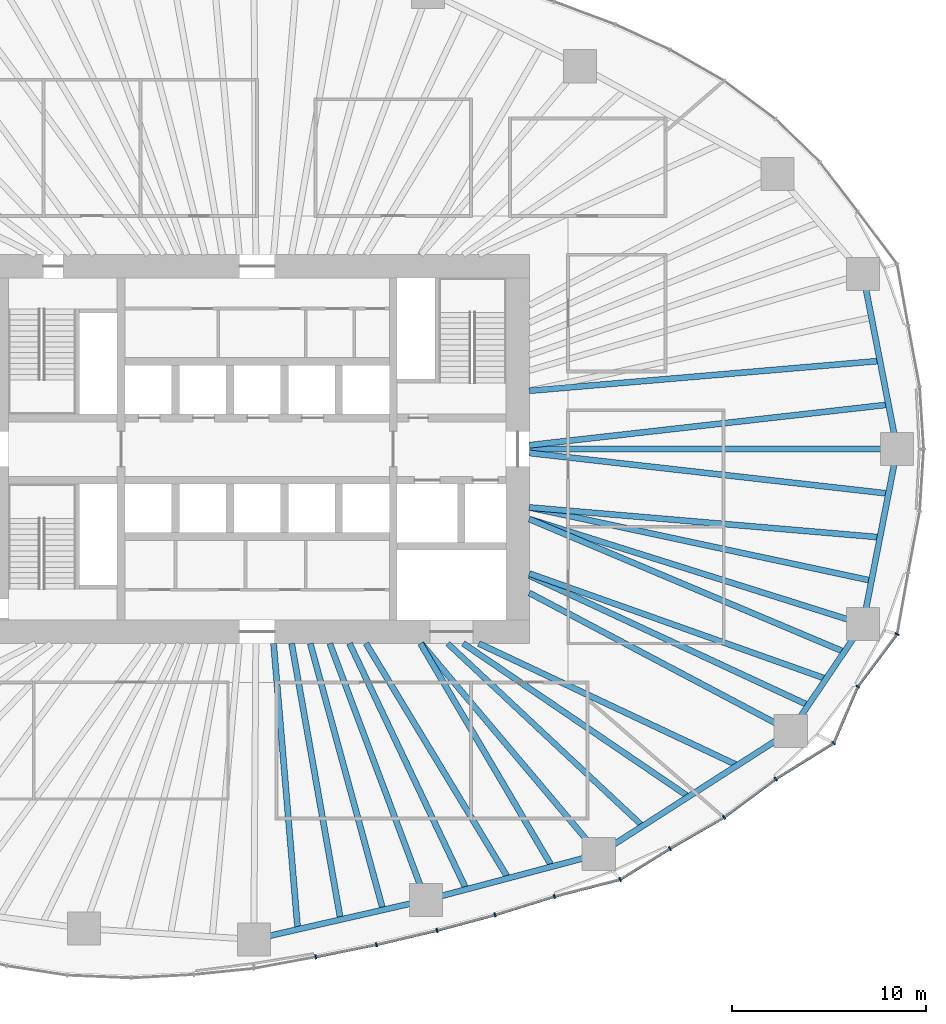
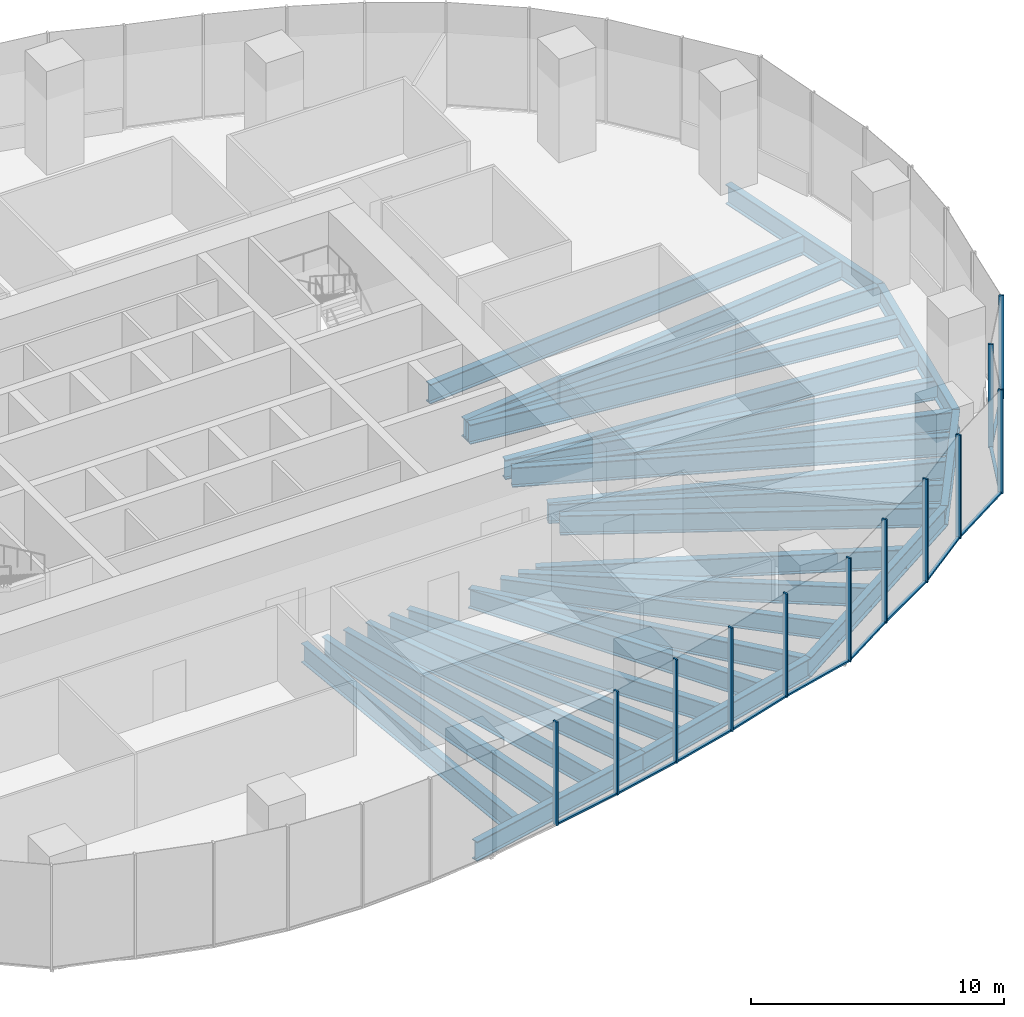
# One storey, part 4 of 20: 28 beams, 23 members, 5 elements without a shape of their own.
"""IFC4 building model written with IfcOpenShell, lengths in metres."""

from ifc_helpers import new_model, si_unit, direction, frame, origin, origin_2d, place, context, subcontext, project, spatial, rectangle, i_section, extrude, material, material_profile, profile_set, type_object, element, aggregate, save


model = new_model("IFC4")

# Units and contexts
model_context = context("Model", 3, precision=1e-05, world=origin(), true_north=direction((0.0, 1.0)))
body_context = subcontext(model_context, "Body", "Model", "MODEL_VIEW")
ifc_project = project(units=[si_unit("LENGTHUNIT", "METRE"), si_unit("AREAUNIT", "SQUARE_METRE"), si_unit("VOLUMEUNIT", "CUBIC_METRE"), si_unit("PLANEANGLEUNIT", "RADIAN"), si_unit("MASSUNIT", "GRAM", prefix="KILO")], contexts=[model_context])

# Site, building, storey
site_placement = place(None, origin())
site = spatial("IfcSite", under=ifc_project, at=site_placement, CompositionType="ELEMENT")
building_placement = place(site_placement, origin())
building = spatial("IfcBuilding", under=site, at=building_placement, Name="Ghaith Harvest Tower", CompositionType="ELEMENT")
storey_placement = place(building_placement, frame((0.0, 0.0, 85.0)))
storey = spatial("IfcBuildingStorey", under=building, at=storey_placement, Name="L17", CompositionType="ELEMENT", Elevation=85.0)

# Curtain wall, members
ifc_material_1 = material(Name="Black anodised aluminium and fritted glass", Category="aluminium")
curtain_wall_type = type_object("IfcCurtainWallType", Name="CW-F CURTAIN WALL", PredefinedType="NOTDEFINED", material=ifc_material_1)
curtain_wall_1_placement = place(storey_placement, origin())
curtain_wall_1 = element("IfcCurtainWall", 1, at=curtain_wall_1_placement, inside=storey, type_object=curtain_wall_type, Name="Curtain wall CW-F bay 16 L17", PredefinedType="NOTDEFINED")
ifc_material_2 = material(Name="Aluminium, black anodised", Category="aluminium")
ifc_material_profile_1 = material_profile(ifc_material_2, rectangle(XDim=0.080078125, YDim=0.219970703125, at=origin_2d()), Name="CW-F MULLION 80x220")
ifc_profile_set_1 = profile_set([ifc_material_profile_1], Name="Aluminium, black anodised")
member_type_1 = type_object("IfcMemberType", Name="CW-F MULLION 80x220", PredefinedType="MULLION", material=ifc_profile_set_1)
member_1_placement = place(storey_placement, frame((3.00927734375, -26.123291015625, 0.0), z_axis=(0.0, 0.0, 1.0), x_axis=(0.981818445714, 0.189822389762, 0.0)))
member_1 = element("IfcMember", 2, at=member_1_placement, type_object=member_type_1, Name="CW-F mullion 2 bay 16 L17", PredefinedType="MULLION", context=body_context, shape_type="SweptSolid", body=[
    extrude(rectangle(XDim=0.080078125, YDim=0.219970703125, at=origin_2d()), origin(), (0.0, 0.0, 1.0), 5.0),
])
member_2_placement = place(storey_placement, frame((6.136962890625, -25.495361328125, 0.0), z_axis=(0.0, 0.0, 1.0), x_axis=(0.977117973572, 0.212698062336, 0.0)))
member_2 = element("IfcMember", 3, at=member_2_placement, type_object=member_type_1, Name="CW-F mullion 3 bay 16 L17", PredefinedType="MULLION", context=body_context, shape_type="SweptSolid", body=[
    extrude(rectangle(XDim=0.080078125, YDim=0.219970703125, at=origin_2d()), origin(), (0.0, 0.0, 1.0), 5.0),
])

curtain_wall_2_placement = place(storey_placement, origin())
curtain_wall_2 = element("IfcCurtainWall", 4, at=curtain_wall_2_placement, inside=storey, type_object=curtain_wall_type, Name="Curtain wall CW-F bay 17 L17", PredefinedType="NOTDEFINED")
member_3_placement = place(storey_placement, frame((9.25732421875, -24.76318359375, 0.0), z_axis=(0.0, 0.0, 1.0), x_axis=(0.969903429248, 0.24348991341, 0.0)))
member_3 = element("IfcMember", 5, at=member_3_placement, type_object=member_type_1, Name="CW-F mullion 1 bay 17 L17", PredefinedType="MULLION", context=body_context, shape_type="SweptSolid", body=[
    extrude(rectangle(XDim=0.080078125, YDim=0.219970703125, at=origin_2d()), origin(), (0.0, 0.0, 1.0), 5.0),
])
member_4_placement = place(storey_placement, frame((12.234375, -23.964599609375, 0.0), z_axis=(0.0, 0.0, 1.0), x_axis=(0.960502189734, 0.278272426799, 0.0)))
member_4 = element("IfcMember", 6, at=member_4_placement, type_object=member_type_1, Name="CW-F mullion 2 bay 17 L17", PredefinedType="MULLION", context=body_context, shape_type="SweptSolid", body=[
    extrude(rectangle(XDim=0.080078125, YDim=0.219970703125, at=origin_2d()), origin(), (0.0, 0.0, 1.0), 5.0),
])
member_5_placement = place(storey_placement, frame((15.28759765625, -23.01611328125, 0.0), z_axis=(0.0, 0.0, 1.0), x_axis=(0.962313144018, 0.27194376781, 0.0)))
member_5 = element("IfcMember", 7, at=member_5_placement, type_object=member_type_1, Name="CW-F mullion 3 bay 17 L17", PredefinedType="MULLION", context=body_context, shape_type="SweptSolid", body=[
    extrude(rectangle(XDim=0.080078125, YDim=0.219970703125, at=origin_2d()), origin(), (0.0, 0.0, 1.0), 5.0),
])

curtain_wall_3_placement = place(storey_placement, origin())
curtain_wall_3 = element("IfcCurtainWall", 8, at=curtain_wall_3_placement, inside=storey, type_object=curtain_wall_type, Name="Curtain wall CW-F bay 18 L17", PredefinedType="NOTDEFINED")
member_6_placement = place(storey_placement, frame((18.674072265625, -22.144775390625, 0.0), z_axis=(0.0, 0.0, 1.0), x_axis=(0.923910199299, 0.382609387799, 0.0)))
member_6 = element("IfcMember", 9, at=member_6_placement, type_object=member_type_1, Name="CW-F mullion 1 bay 18 L17", PredefinedType="MULLION", context=body_context, shape_type="SweptSolid", body=[
    extrude(rectangle(XDim=0.080078125, YDim=0.219970703125, at=origin_2d()), origin(), (0.0, 0.0, 1.0), 5.0),
])
member_7_placement = place(storey_placement, frame((21.2353515625, -20.552978515625, 0.0), z_axis=(0.0, 0.0, 1.0), x_axis=(0.858140414942, 0.513415064293, 0.0)))
member_7 = element("IfcMember", 10, at=member_7_placement, type_object=member_type_1, Name="CW-F mullion 2 bay 18 L17", PredefinedType="MULLION", context=body_context, shape_type="SweptSolid", body=[
    extrude(rectangle(XDim=0.080078125, YDim=0.219970703125, at=origin_2d()), origin(), (0.0, 0.0, 1.0), 5.0),
])
member_8_placement = place(storey_placement, frame((24.018310546875, -18.947265625, 0.0), z_axis=(0.0, 0.0, 1.0), x_axis=(0.835443516838, 0.549576318788, 0.0)))
member_8 = element("IfcMember", 11, at=member_8_placement, type_object=member_type_1, Name="CW-F mullion 3 bay 18 L17", PredefinedType="MULLION", context=body_context, shape_type="SweptSolid", body=[
    extrude(rectangle(XDim=0.080078125, YDim=0.219970703125, at=origin_2d()), origin(), (0.0, 0.0, 1.0), 5.0),
])

curtain_wall_4_placement = place(storey_placement, origin())
curtain_wall_4 = element("IfcCurtainWall", 12, at=curtain_wall_4_placement, inside=storey, type_object=curtain_wall_type, Name="Curtain wall CW-F bay 19 L17", PredefinedType="NOTDEFINED")
member_9_placement = place(storey_placement, frame((26.673828125, -16.9755859375, 0.0), z_axis=(0.0, 0.0, 1.0), x_axis=(0.828002038115, 0.560725088504, 0.0)))
member_9 = element("IfcMember", 13, at=member_9_placement, type_object=member_type_1, Name="CW-F mullion 1 bay 19 L17", PredefinedType="MULLION", context=body_context, shape_type="SweptSolid", body=[
    extrude(rectangle(XDim=0.080078125, YDim=0.219970703125, at=origin_2d()), origin(), (0.0, 0.0, 1.0), 5.0),
])
member_10_placement = place(storey_placement, frame((29.659912109375, -15.126953125, 0.0), z_axis=(0.0, 0.0, 1.0), x_axis=(0.663604797505, 0.748083332743, 0.0)))
member_10 = element("IfcMember", 14, at=member_10_placement, type_object=member_type_1, Name="CW-F mullion 2 bay 19 L17", PredefinedType="MULLION", context=body_context, shape_type="SweptSolid", body=[
    extrude(rectangle(XDim=0.080078125, YDim=0.219970703125, at=origin_2d()), origin(), (0.0, 0.0, 1.0), 5.0),
])
member_11_placement = place(storey_placement, frame((30.896728515625, -12.215087890625, 0.0), z_axis=(0.0, 0.0, 1.0), x_axis=(0.5027946428, 0.864405892606, 0.0)))
member_11 = element("IfcMember", 15, at=member_11_placement, type_object=member_type_1, Name="CW-F mullion 3 bay 19 L17", PredefinedType="MULLION", context=body_context, shape_type="SweptSolid", body=[
    extrude(rectangle(XDim=0.080078125, YDim=0.219970703125, at=origin_2d()), origin(), (0.0, 0.0, 1.0), 5.0),
])

# Curtain wall, member
curtain_wall_5_placement = place(storey_placement, origin())
curtain_wall_5 = element("IfcCurtainWall", 16, at=curtain_wall_5_placement, inside=storey, type_object=curtain_wall_type, Name="Curtain wall CW-F bay 20 L17", PredefinedType="NOTDEFINED")
member_12_placement = place(storey_placement, frame((32.923583984375, -9.515625, 0.0), z_axis=(0.0, 0.0, 1.0), x_axis=(0.404701694001, 0.914448762301, 0.0)))
member_12 = element("IfcMember", 17, at=member_12_placement, type_object=member_type_1, Name="CW-F mullion 1 bay 20 L17", PredefinedType="MULLION", context=body_context, shape_type="SweptSolid", body=[
    extrude(rectangle(XDim=0.080078125, YDim=0.219970703125, at=origin_2d()), origin(), (0.0, 0.0, 1.0), 5.0),
])
aggregate(curtain_wall_5, [member_12])

# Member
ifc_material_3 = material(Name="Aluminium, black anodised", Category="aluminium")
ifc_material_profile_2 = material_profile(ifc_material_3, rectangle(XDim=0.139892578125, YDim=0.080078125, at=origin_2d()), Name="CW-F TRANSOM 140x80")
ifc_profile_set_2 = profile_set([ifc_material_profile_2], Name="Aluminium, black anodised")
member_type_2 = type_object("IfcMemberType", Name="CW-F TRANSOM 140x80", PredefinedType="USERDEFINED", material=ifc_profile_set_2)
member_13_placement = place(storey_placement, frame((3.04833984375, -26.115478515625, 0.0400390625), z_axis=(0.980432471193, 0.196855707129, 0.0), x_axis=(-0.196855707129, 0.980432471193, 0.0)))
member_13 = element("IfcMember", 18, at=member_13_placement, type_object=member_type_2, Name="CW-F transom 2 bay 16 L17", ObjectType="TRANSOM", PredefinedType="USERDEFINED", context=body_context, shape_type="SweptSolid", body=[
    extrude(rectangle(XDim=0.139892578125, YDim=0.080078125, at=origin_2d()), origin(), (0.0, 0.0, 1.0), 3.1103515625),
])

member_14_placement = place(storey_placement, frame((6.176025390625, -25.486083984375, 0.0400390625), z_axis=(0.973560415159, 0.228429678537, 0.0), x_axis=(-0.228429678537, 0.973560415159, 0.0)))
member_14 = element("IfcMember", 19, at=member_14_placement, type_object=member_type_2, Name="CW-F transom 3 bay 16 L17", ObjectType="TRANSOM", PredefinedType="USERDEFINED", context=body_context, shape_type="SweptSolid", body=[
    extrude(rectangle(XDim=0.139892578125, YDim=0.080078125, at=origin_2d()), origin(), (0.0, 0.0, 1.0), 3.125),
])

aggregate(curtain_wall_1, [member_1, member_13, member_2, member_14])

member_15_placement = place(storey_placement, frame((9.2958984375, -24.7529296875, 0.0400390625), z_axis=(0.965832908495, 0.259165570377, 0.0), x_axis=(-0.259165570377, 0.965832908495, 0.0)))
member_15 = element("IfcMember", 20, at=member_15_placement, type_object=member_type_2, Name="CW-F transom 1 bay 17 L17", ObjectType="TRANSOM", PredefinedType="USERDEFINED", context=body_context, shape_type="SweptSolid", body=[
    extrude(rectangle(XDim=0.139892578125, YDim=0.080078125, at=origin_2d()), origin(), (0.0, 0.0, 1.0), 3.002197265625),
])

member_16_placement = place(storey_placement, frame((12.2724609375, -23.95263671875, 0.0400390625), z_axis=(0.954998362353, 0.296611071781, 0.0), x_axis=(-0.296611071781, 0.954998362353, 0.0)))
member_16 = element("IfcMember", 21, at=member_16_placement, type_object=member_type_2, Name="CW-F transom 2 bay 17 L17", ObjectType="TRANSOM", PredefinedType="USERDEFINED", context=body_context, shape_type="SweptSolid", body=[
    extrude(rectangle(XDim=0.139892578125, YDim=0.080078125, at=origin_2d()), origin(), (0.0, 0.0, 1.0), 3.1171875),
])

member_17_placement = place(storey_placement, frame((15.326171875, -23.006103515625, 0.0400390625), z_axis=(0.968463874592, 0.249154015841, 0.0), x_axis=(-0.249154015841, 0.968463874592, 0.0)))
member_17 = element("IfcMember", 22, at=member_17_placement, type_object=member_type_2, Name="CW-F transom 3 bay 17 L17", ObjectType="TRANSOM", PredefinedType="USERDEFINED", context=body_context, shape_type="SweptSolid", body=[
    extrude(rectangle(XDim=0.139892578125, YDim=0.080078125, at=origin_2d()), origin(), (0.0, 0.0, 1.0), 3.416748046875),
])

aggregate(curtain_wall_2, [member_3, member_15, member_4, member_16, member_5, member_17])

member_18_placement = place(storey_placement, frame((18.7080078125, -22.12353515625, 0.0400390625), z_axis=(0.849383069026, 0.527776848726, 0.0), x_axis=(-0.527776848726, 0.849383069026, 0.0)))
member_18 = element("IfcMember", 23, at=member_18_placement, type_object=member_type_2, Name="CW-F transom 1 bay 18 L17", ObjectType="TRANSOM", PredefinedType="USERDEFINED", context=body_context, shape_type="SweptSolid", body=[
    extrude(rectangle(XDim=0.139892578125, YDim=0.080078125, at=origin_2d()), origin(), (0.0, 0.0, 1.0), 2.935546875),
])

member_19_placement = place(storey_placement, frame((21.27001953125, -20.532958984375, 0.0400390625), z_axis=(0.866168719914, 0.499751686983, 0.0), x_axis=(-0.499751686983, 0.866168719914, 0.0)))
member_19 = element("IfcMember", 24, at=member_19_placement, type_object=member_type_2, Name="CW-F transom 2 bay 18 L17", ObjectType="TRANSOM", PredefinedType="USERDEFINED", context=body_context, shape_type="SweptSolid", body=[
    extrude(rectangle(XDim=0.139892578125, YDim=0.080078125, at=origin_2d()), origin(), (0.0, 0.0, 1.0), 3.1328125),
])

member_20_placement = place(storey_placement, frame((24.050537109375, -18.92333984375, 0.0400390625), z_axis=(0.802877287823, 0.596144328748, 0.0), x_axis=(-0.596144328748, 0.802877287823, 0.0)))
member_20 = element("IfcMember", 25, at=member_20_placement, type_object=member_type_2, Name="CW-F transom 3 bay 18 L17", ObjectType="TRANSOM", PredefinedType="USERDEFINED", context=body_context, shape_type="SweptSolid", body=[
    extrude(rectangle(XDim=0.139892578125, YDim=0.080078125, at=origin_2d()), origin(), (0.0, 0.0, 1.0), 3.2275390625),
])

aggregate(curtain_wall_3, [member_6, member_18, member_7, member_19, member_8, member_20])

member_21_placement = place(storey_placement, frame((26.707763671875, -16.954345703125, 0.0400390625), z_axis=(0.850260598386, 0.526361961802, 0.0), x_axis=(-0.526361961802, 0.850260598386, 0.0)))
member_21 = element("IfcMember", 26, at=member_21_placement, type_object=member_type_2, Name="CW-F transom 1 bay 19 L17", ObjectType="TRANSOM", PredefinedType="USERDEFINED", context=body_context, shape_type="SweptSolid", body=[
    extrude(rectangle(XDim=0.139892578125, YDim=0.080078125, at=origin_2d()), origin(), (0.0, 0.0, 1.0), 3.431884765625),
])

member_22_placement = place(storey_placement, frame((29.675537109375, -15.090087890625, 0.0400390625), z_axis=(0.390936107494, 0.92041781809, 0.0), x_axis=(-0.92041781809, 0.390936107494, 0.0)))
member_22 = element("IfcMember", 27, at=member_22_placement, type_object=member_type_2, Name="CW-F transom 2 bay 19 L17", ObjectType="TRANSOM", PredefinedType="USERDEFINED", context=body_context, shape_type="SweptSolid", body=[
    extrude(rectangle(XDim=0.139892578125, YDim=0.080078125, at=origin_2d()), origin(), (0.0, 0.0, 1.0), 3.083740234375),
])

member_23_placement = place(storey_placement, frame((30.920654296875, -12.18310546875, 0.0400390625), z_axis=(0.600462135687, 0.799653189581, 0.0), x_axis=(-0.799653189581, 0.600462135687, 0.0)))
member_23 = element("IfcMember", 28, at=member_23_placement, type_object=member_type_2, Name="CW-F transom 3 bay 19 L17", ObjectType="TRANSOM", PredefinedType="USERDEFINED", context=body_context, shape_type="SweptSolid", body=[
    extrude(rectangle(XDim=0.139892578125, YDim=0.080078125, at=origin_2d()), origin(), (0.0, 0.0, 1.0), 3.2958984375),
])

aggregate(curtain_wall_4, [member_9, member_21, member_10, member_22, member_11, member_23])

# Beams
ifc_material_4 = material(Name="Steel ASTM A992 Grade 50", Category="steel")
ifc_material_profile_3 = material_profile(ifc_material_4, i_section(OverallWidth=0.306884765625, OverallDepth=0.94189453125, WebThickness=0.022216796875, FlangeThickness=0.039794921875, at=origin_2d()), Name="W920X345")
ifc_profile_set_3 = profile_set([ifc_material_profile_3], Name="Steel ASTM A992 Grade 50")
beam_type_1 = type_object("IfcBeamType", Name="E920-345 W920X345", PredefinedType="SPANDREL", material=ifc_profile_set_3)
beam_1_placement = place(storey_placement, frame((32.925048828125, 0.0, -0.6708984375), z_axis=(-0.191653479461, 0.981462655332, 0.0), x_axis=(-0.981462655332, -0.191653479461, 0.0)))
element("IfcBeam", 29, at=beam_1_placement, inside=storey, type_object=beam_type_1, Name="Edge beam E01 L17", PredefinedType="SPANDREL", context=body_context, shape_type="SweptSolid", body=[
    extrude(i_section(OverallWidth=0.306884765625, OverallDepth=0.94189453125, WebThickness=0.022216796875, FlangeThickness=0.039794921875, at=origin_2d()), origin(), (0.0, 0.0, 1.0), 9.17822265625),
])
beam_2_placement = place(storey_placement, frame((-0.173095703125, -25.22412109375, -0.6708984375), z_axis=(0.974881709383, 0.22272326486, 0.0), x_axis=(-0.22272326486, 0.974881709383, 0.0)))
element("IfcBeam", 30, at=beam_2_placement, inside=storey, type_object=beam_type_1, Name="Edge beam E16 L17", PredefinedType="SPANDREL", context=body_context, shape_type="SweptSolid", body=[
    extrude(i_section(OverallWidth=0.306884765625, OverallDepth=0.94189453125, WebThickness=0.022216796875, FlangeThickness=0.039794921875, at=origin_2d()), origin(), (0.0, 0.0, 1.0), 9.0751953125),
])
beam_3_placement = place(storey_placement, frame((8.674072265625, -23.202880859375, -0.6708984375), z_axis=(0.966419097109, 0.256971065963, 0.0), x_axis=(-0.256971065963, 0.966419097109, 0.0)))
element("IfcBeam", 31, at=beam_3_placement, inside=storey, type_object=beam_type_1, Name="Edge beam E17 L17", PredefinedType="SPANDREL", context=body_context, shape_type="SweptSolid", body=[
    extrude(i_section(OverallWidth=0.306884765625, OverallDepth=0.94189453125, WebThickness=0.022216796875, FlangeThickness=0.039794921875, at=origin_2d()), origin(), (0.0, 0.0, 1.0), 9.20703125),
])
beam_4_placement = place(storey_placement, frame((17.572021484375, -20.8369140625, -0.6708984375), z_axis=(0.842014649705, 0.539454659524, 0.0), x_axis=(-0.539454659524, 0.842014649705, 0.0)))
element("IfcBeam", 32, at=beam_4_placement, inside=storey, type_object=beam_type_1, Name="Edge beam E18 L17", PredefinedType="SPANDREL", context=body_context, shape_type="SweptSolid", body=[
    extrude(i_section(OverallWidth=0.306884765625, OverallDepth=0.94189453125, WebThickness=0.022216796875, FlangeThickness=0.039794921875, at=origin_2d()), origin(), (0.0, 0.0, 1.0), 11.730224609375),
])
beam_5_placement = place(storey_placement, frame((27.448974609375, -14.509033203125, -0.6708984375), z_axis=(0.559874470017, 0.828577442261, 0.0), x_axis=(-0.828577442261, 0.559874470017, 0.0)))
element("IfcBeam", 33, at=beam_5_placement, inside=storey, type_object=beam_type_1, Name="Edge beam E19 L17", PredefinedType="SPANDREL", context=body_context, shape_type="SweptSolid", body=[
    extrude(i_section(OverallWidth=0.306884765625, OverallDepth=0.94189453125, WebThickness=0.022216796875, FlangeThickness=0.039794921875, at=origin_2d()), origin(), (0.0, 0.0, 1.0), 6.63916015625),
])
beam_6_placement = place(storey_placement, frame((31.166015625, -9.008056640625, -0.6708984375), z_axis=(0.191653479461, 0.981462655332, 0.0), x_axis=(-0.981462655332, 0.191653479461, 0.0)))
element("IfcBeam", 34, at=beam_6_placement, inside=storey, type_object=beam_type_1, Name="Edge beam E20 L17", PredefinedType="SPANDREL", context=body_context, shape_type="SweptSolid", body=[
    extrude(i_section(OverallWidth=0.306884765625, OverallDepth=0.94189453125, WebThickness=0.022216796875, FlangeThickness=0.039794921875, at=origin_2d()), origin(), (0.0, 0.0, 1.0), 9.17822265625),
])
ifc_material_5 = material(Name="Steel ASTM A992 Grade 50", Category="steel")
ifc_material_profile_4 = material_profile(ifc_material_5, i_section(OverallWidth=0.306884765625, OverallDepth=0.94189453125, WebThickness=0.022216796875, FlangeThickness=0.039794921875, at=origin_2d()), Name="W920X345")
ifc_profile_set_4 = profile_set([ifc_material_profile_4], Name="Steel ASTM A992 Grade 50")
beam_type_2 = type_object("IfcBeamType", Name="G920-345 W920X345", PredefinedType="BEAM", material=ifc_profile_set_4)
beam_7_placement = place(storey_placement, frame((14.0, 0.0, -0.6708984375), z_axis=(1.0, 0.0, 0.0), x_axis=(0.0, 1.0, 0.0)))
element("IfcBeam", 35, at=beam_7_placement, inside=storey, type_object=beam_type_2, Name="Radial girder G01 L17", PredefinedType="BEAM", context=body_context, shape_type="SweptSolid", body=[
    extrude(i_section(OverallWidth=0.306884765625, OverallDepth=0.94189453125, WebThickness=0.022216796875, FlangeThickness=0.039794921875, at=origin_2d()), origin(), (0.0, 0.0, 1.0), 18.925048828125),
])
beam_8_placement = place(storey_placement, frame((3.73828125, -10.0, -0.6708984375), z_axis=(0.350172283717, -0.936685310932, 0.0), x_axis=(0.936685310932, 0.350172283717, 0.0)))
element("IfcBeam", 36, at=beam_8_placement, inside=storey, type_object=beam_type_2, Name="Radial girder G17 L17", PredefinedType="BEAM", context=body_context, shape_type="SweptSolid", body=[
    extrude(i_section(OverallWidth=0.306884765625, OverallDepth=0.94189453125, WebThickness=0.022216796875, FlangeThickness=0.039794921875, at=origin_2d()), origin(), (0.0, 0.0, 1.0), 14.09521484375),
])
beam_9_placement = place(storey_placement, frame((8.4326171875, -10.0, -0.6708984375), z_axis=(0.644696130938, -0.764438943771, 0.0), x_axis=(0.764438943771, 0.644696130938, 0.0)))
element("IfcBeam", 37, at=beam_9_placement, inside=storey, type_object=beam_type_2, Name="Radial girder G18 L17", PredefinedType="BEAM", context=body_context, shape_type="SweptSolid", body=[
    extrude(i_section(OverallWidth=0.306884765625, OverallDepth=0.94189453125, WebThickness=0.022216796875, FlangeThickness=0.039794921875, at=origin_2d()), origin(), (0.0, 0.0, 1.0), 14.17626953125),
])
beam_10_placement = place(storey_placement, frame((14.0, -7.39990234375, -0.6708984375), z_axis=(0.884084425997, -0.467327216959, 0.0), x_axis=(0.467327216959, 0.884084425997, 0.0)))
element("IfcBeam", 38, at=beam_10_placement, inside=storey, type_object=beam_type_2, Name="Radial girder G19 L17", PredefinedType="BEAM", context=body_context, shape_type="SweptSolid", body=[
    extrude(i_section(OverallWidth=0.306884765625, OverallDepth=0.94189453125, WebThickness=0.022216796875, FlangeThickness=0.039794921875, at=origin_2d()), origin(), (0.0, 0.0, 1.0), 15.21240234375),
])
beam_11_placement = place(storey_placement, frame((14.0, -3.60009765625, -0.6708984375), z_axis=(0.953788071692, -0.300480139607, 0.0), x_axis=(0.300480139607, 0.953788071692, 0.0)))
element("IfcBeam", 39, at=beam_11_placement, inside=storey, type_object=beam_type_2, Name="Radial girder G20 L17", PredefinedType="BEAM", context=body_context, shape_type="SweptSolid", body=[
    extrude(i_section(OverallWidth=0.306884765625, OverallDepth=0.94189453125, WebThickness=0.022216796875, FlangeThickness=0.039794921875, at=origin_2d()), origin(), (0.0, 0.0, 1.0), 17.997802734375),
])
ifc_material_6 = material(Name="Steel ASTM A992 Grade 50", Category="steel")
ifc_material_profile_5 = material_profile(ifc_material_6, i_section(OverallWidth=0.2939453125, OverallDepth=0.85107421875, WebThickness=0.01611328125, FlangeThickness=0.02685546875, at=origin_2d()), Name="W840X226")
ifc_profile_set_5 = profile_set([ifc_material_profile_5], Name="Steel ASTM A992 Grade 50")
beam_type_3 = type_object("IfcBeamType", Name="J840-226 W840X226", PredefinedType="JOIST", material=ifc_profile_set_5)
beam_12_placement = place(storey_placement, frame((9.800048828125, -10.0, -0.62548828125), z_axis=(0.72994990542, -0.683500647825, 0.0), x_axis=(0.683500647825, 0.72994990542, 0.0)))
element("IfcBeam", 40, at=beam_12_placement, inside=storey, type_object=beam_type_3, Name="Joist J18.1 L17", PredefinedType="JOIST", context=body_context, shape_type="SweptSolid", body=[
    extrude(i_section(OverallWidth=0.2939453125, OverallDepth=0.85107421875, WebThickness=0.01611328125, FlangeThickness=0.02685546875, at=origin_2d()), origin(), (0.0, 0.0, 1.0), 13.7392578125),
])
ifc_material_7 = material(Name="Steel ASTM A992 Grade 50", Category="steel")
ifc_material_profile_6 = material_profile(ifc_material_7, i_section(OverallWidth=0.31005859375, OverallDepth=0.927001953125, WebThickness=0.019287109375, FlangeThickness=0.031982421875, at=origin_2d()), Name="W920X289")
ifc_profile_set_6 = profile_set([ifc_material_profile_6], Name="Steel ASTM A992 Grade 50")
beam_type_4 = type_object("IfcBeamType", Name="J920-289 W920X289", PredefinedType="JOIST", material=ifc_profile_set_6)
beam_13_placement = place(storey_placement, frame((0.844970703125, -10.0, -0.66357421875), z_axis=(0.084208979751, -0.996448115924, 0.0), x_axis=(0.996448115924, 0.084208979751, 0.0)))
element("IfcBeam", 41, at=beam_13_placement, inside=storey, type_object=beam_type_4, Name="Joist J16.1 L17", PredefinedType="JOIST", context=body_context, shape_type="SweptSolid", body=[
    extrude(i_section(OverallWidth=0.31005859375, OverallDepth=0.927001953125, WebThickness=0.019287109375, FlangeThickness=0.031982421875, at=origin_2d()), origin(), (0.0, 0.0, 1.0), 14.760009765625),
])
beam_14_placement = place(storey_placement, frame((1.772705078125, -10.0, -0.66357421875), z_axis=(0.174552818486, -0.98464781194, 0.0), x_axis=(0.98464781194, 0.174552818486, 0.0)))
element("IfcBeam", 42, at=beam_14_placement, inside=storey, type_object=beam_type_4, Name="Joist J16.2 L17", PredefinedType="JOIST", context=body_context, shape_type="SweptSolid", body=[
    extrude(i_section(OverallWidth=0.31005859375, OverallDepth=0.927001953125, WebThickness=0.019287109375, FlangeThickness=0.031982421875, at=origin_2d()), origin(), (0.0, 0.0, 1.0), 14.42578125),
])
beam_15_placement = place(storey_placement, frame((2.73095703125, -10.0, -0.66357421875), z_axis=(0.263463446032, -0.964669379946, 0.0), x_axis=(0.964669379946, 0.263463446032, 0.0)))
element("IfcBeam", 43, at=beam_15_placement, inside=storey, type_object=beam_type_4, Name="Joist J16.3 L17", PredefinedType="JOIST", context=body_context, shape_type="SweptSolid", body=[
    extrude(i_section(OverallWidth=0.31005859375, OverallDepth=0.927001953125, WebThickness=0.019287109375, FlangeThickness=0.031982421875, at=origin_2d()), origin(), (0.0, 0.0, 1.0), 14.20751953125),
])
beam_16_placement = place(storey_placement, frame((4.75, -10.0, -0.66357421875), z_axis=(0.429067127754, -0.903272605519, 0.0), x_axis=(0.903272605519, 0.429067127754, 0.0)))
element("IfcBeam", 44, at=beam_16_placement, inside=storey, type_object=beam_type_4, Name="Joist J17.1 L17", PredefinedType="JOIST", context=body_context, shape_type="SweptSolid", body=[
    extrude(i_section(OverallWidth=0.31005859375, OverallDepth=0.927001953125, WebThickness=0.019287109375, FlangeThickness=0.031982421875, at=origin_2d()), origin(), (0.0, 0.0, 1.0), 14.003173828125),
])
beam_17_placement = place(storey_placement, frame((5.60009765625, -10.0, -0.66357421875), z_axis=(0.517828660199, -0.855484353262, 0.0), x_axis=(0.855484353262, 0.517828660199, 0.0)))
element("IfcBeam", 45, at=beam_17_placement, inside=storey, type_object=beam_type_4, Name="Joist J17.2 L17", PredefinedType="JOIST", context=body_context, shape_type="SweptSolid", body=[
    extrude(i_section(OverallWidth=0.31005859375, OverallDepth=0.927001953125, WebThickness=0.019287109375, FlangeThickness=0.031982421875, at=origin_2d()), origin(), (0.0, 0.0, 1.0), 14.11669921875),
])
beam_18_placement = place(storey_placement, frame((8.39990234375, -10.0, -0.66357421875), z_axis=(0.507894375661, -0.861419353841, 0.0), x_axis=(0.861419353841, 0.507894375661, 0.0)))
element("IfcBeam", 46, at=beam_18_placement, inside=storey, type_object=beam_type_4, Name="Joist J17.3 L17", PredefinedType="JOIST", context=body_context, shape_type="SweptSolid", body=[
    extrude(i_section(OverallWidth=0.31005859375, OverallDepth=0.927001953125, WebThickness=0.019287109375, FlangeThickness=0.031982421875, at=origin_2d()), origin(), (0.0, 0.0, 1.0), 13.32275390625),
])
beam_19_placement = place(storey_placement, frame((10.60009765625, -10.0, -0.66357421875), z_axis=(0.826982555637, -0.562227580853, 0.0), x_axis=(0.562227580853, 0.826982555637, 0.0)))
element("IfcBeam", 47, at=beam_19_placement, inside=storey, type_object=beam_type_4, Name="Joist J18.2 L17", PredefinedType="JOIST", context=body_context, shape_type="SweptSolid", body=[
    extrude(i_section(OverallWidth=0.31005859375, OverallDepth=0.927001953125, WebThickness=0.019287109375, FlangeThickness=0.031982421875, at=origin_2d()), origin(), (0.0, 0.0, 1.0), 14.013671875),
])
beam_20_placement = place(storey_placement, frame((11.39990234375, -10.0, -0.66357421875), z_axis=(0.904709580205, -0.426028843489, 0.0), x_axis=(0.426028843489, 0.904709580205, 0.0)))
element("IfcBeam", 48, at=beam_20_placement, inside=storey, type_object=beam_type_4, Name="Joist J18.3 L17", PredefinedType="JOIST", context=body_context, shape_type="SweptSolid", body=[
    extrude(i_section(OverallWidth=0.31005859375, OverallDepth=0.927001953125, WebThickness=0.019287109375, FlangeThickness=0.031982421875, at=origin_2d()), origin(), (0.0, 0.0, 1.0), 14.708251953125),
])
beam_21_placement = place(storey_placement, frame((14.0, -6.506103515625, -0.66357421875), z_axis=(0.906865804441, -0.421419521067, 0.0), x_axis=(0.421419521067, 0.906865804441, 0.0)))
element("IfcBeam", 49, at=beam_21_placement, inside=storey, type_object=beam_type_4, Name="Joist J19.1 L17", PredefinedType="JOIST", context=body_context, shape_type="SweptSolid", body=[
    extrude(i_section(OverallWidth=0.31005859375, OverallDepth=0.927001953125, WebThickness=0.019287109375, FlangeThickness=0.031982421875, at=origin_2d()), origin(), (0.0, 0.0, 1.0), 15.824462890625),
])
ifc_material_8 = material(Name="Steel ASTM A992 Grade 50", Category="steel")
ifc_material_profile_7 = material_profile(ifc_material_8, i_section(OverallWidth=0.306884765625, OverallDepth=0.94189453125, WebThickness=0.022216796875, FlangeThickness=0.039794921875, at=origin_2d()), Name="W920X345")
ifc_profile_set_7 = profile_set([ifc_material_profile_7], Name="Steel ASTM A992 Grade 50")
beam_type_5 = type_object("IfcBeamType", Name="J920-345 W920X345", PredefinedType="JOIST", material=ifc_profile_set_7)
beam_22_placement = place(storey_placement, frame((14.0, 0.199951171875, -0.6708984375), z_axis=(0.993675458798, 0.112290171352, 0.0), x_axis=(-0.112290171352, 0.993675458798, 0.0)))
element("IfcBeam", 50, at=beam_22_placement, inside=storey, type_object=beam_type_5, Name="Joist J01.1 L17", PredefinedType="JOIST", context=body_context, shape_type="SweptSolid", body=[
    extrude(i_section(OverallWidth=0.306884765625, OverallDepth=0.94189453125, WebThickness=0.022216796875, FlangeThickness=0.039794921875, at=origin_2d()), origin(), (0.0, 0.0, 1.0), 18.595947265625),
])
beam_23_placement = place(storey_placement, frame((14.0, 3.0, -0.6708984375), z_axis=(0.996389274474, 0.084902377546, 0.0), x_axis=(-0.084902377546, 0.996389274474, 0.0)))
element("IfcBeam", 51, at=beam_23_placement, inside=storey, type_object=beam_type_5, Name="Joist J01.2 L17", PredefinedType="JOIST", context=body_context, shape_type="SweptSolid", body=[
    extrude(i_section(OverallWidth=0.306884765625, OverallDepth=0.94189453125, WebThickness=0.022216796875, FlangeThickness=0.039794921875, at=origin_2d()), origin(), (0.0, 0.0, 1.0), 18.1044921875),
])
beam_24_placement = place(storey_placement, frame((14.0, -6.39990234375, -0.6708984375), z_axis=(0.942399857711, -0.334488427581, 0.0), x_axis=(0.334488427581, 0.942399857711, 0.0)))
element("IfcBeam", 52, at=beam_24_placement, inside=storey, type_object=beam_type_5, Name="Joist J19.2 L17", PredefinedType="JOIST", context=body_context, shape_type="SweptSolid", body=[
    extrude(i_section(OverallWidth=0.306884765625, OverallDepth=0.94189453125, WebThickness=0.022216796875, FlangeThickness=0.039794921875, at=origin_2d()), origin(), (0.0, 0.0, 1.0), 16.199951171875),
])
beam_25_placement = place(storey_placement, frame((14.0, -3.60009765625, -0.6708984375), z_axis=(0.921432978784, -0.388537341333, 0.0), x_axis=(0.388537341333, 0.921432978784, 0.0)))
element("IfcBeam", 53, at=beam_25_placement, inside=storey, type_object=beam_type_5, Name="Joist J19.3 L17", PredefinedType="JOIST", context=body_context, shape_type="SweptSolid", body=[
    extrude(i_section(OverallWidth=0.306884765625, OverallDepth=0.94189453125, WebThickness=0.022216796875, FlangeThickness=0.039794921875, at=origin_2d()), origin(), (0.0, 0.0, 1.0), 17.585205078125),
])
beam_26_placement = place(storey_placement, frame((14.0, -3.0, -0.6708984375), z_axis=(0.977831380626, -0.209393865869, 0.0), x_axis=(0.209393865869, 0.977831380626, 0.0)))
element("IfcBeam", 54, at=beam_26_placement, inside=storey, type_object=beam_type_5, Name="Joist J20.1 L17", PredefinedType="JOIST", context=body_context, shape_type="SweptSolid", body=[
    extrude(i_section(OverallWidth=0.306884765625, OverallDepth=0.94189453125, WebThickness=0.022216796875, FlangeThickness=0.039794921875, at=origin_2d()), origin(), (0.0, 0.0, 1.0), 18.002197265625),
])
beam_27_placement = place(storey_placement, frame((14.0, -3.0, -0.6708984375), z_axis=(0.996389274474, -0.084902377546, 0.0), x_axis=(0.084902377546, 0.996389274474, 0.0)))
element("IfcBeam", 55, at=beam_27_placement, inside=storey, type_object=beam_type_5, Name="Joist J20.2 L17", PredefinedType="JOIST", context=body_context, shape_type="SweptSolid", body=[
    extrude(i_section(OverallWidth=0.306884765625, OverallDepth=0.94189453125, WebThickness=0.022216796875, FlangeThickness=0.039794921875, at=origin_2d()), origin(), (0.0, 0.0, 1.0), 18.1044921875),
])
beam_28_placement = place(storey_placement, frame((14.0, -0.199951171875, -0.6708984375), z_axis=(0.993675458798, -0.112290171352, 0.0), x_axis=(0.112290171352, 0.993675458798, 0.0)))
element("IfcBeam", 56, at=beam_28_placement, inside=storey, type_object=beam_type_5, Name="Joist J20.3 L17", PredefinedType="JOIST", context=body_context, shape_type="SweptSolid", body=[
    extrude(i_section(OverallWidth=0.306884765625, OverallDepth=0.94189453125, WebThickness=0.022216796875, FlangeThickness=0.039794921875, at=origin_2d()), origin(), (0.0, 0.0, 1.0), 18.595947265625),
])

save(model, "model.ifc")
